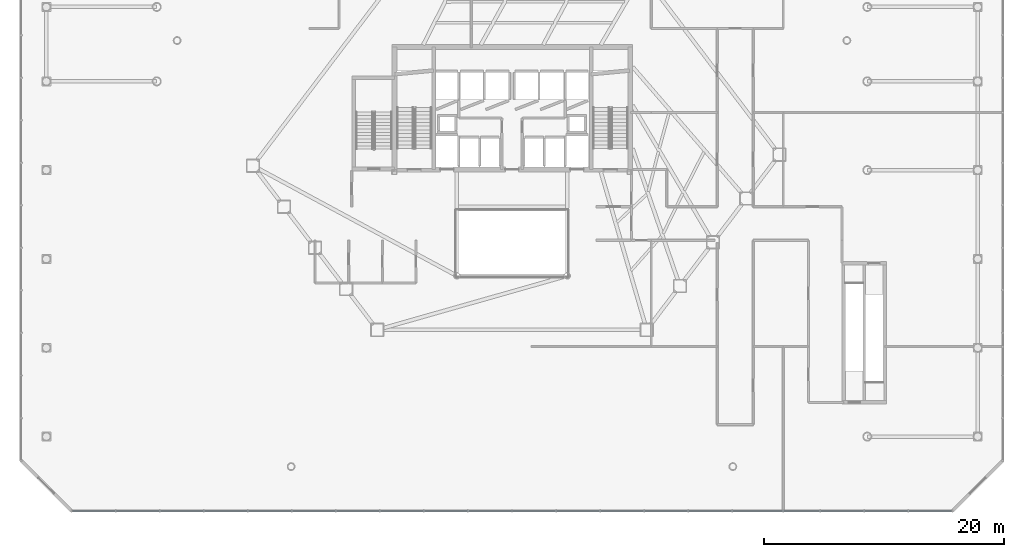
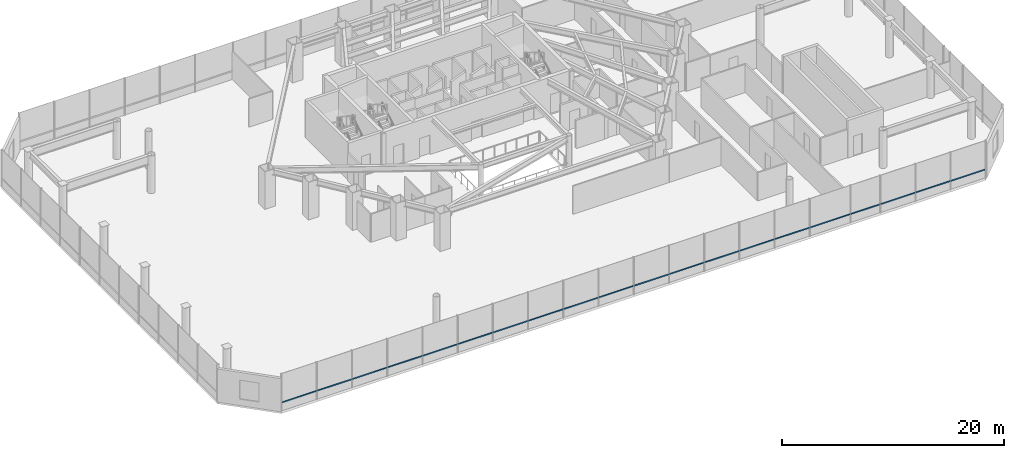
# One storey, part 13 of 43: 1 member, 1 element without a shape of its own.
"""IFC4 building model written with IfcOpenShell, lengths in metres."""

import ifcopenshell
import ifcopenshell.guid

model = None  # the IFC model being written
_history = None  # IfcOwnerHistory: only IFC2X3 demands one
_inside = {}  # id of a spatial element -> (the spatial element, [elements in it])
_under = {}  # id of a project, library or spatial element -> (it, [spatial elements below it])
_declared = {}  # id of a project -> (the project, [libraries it declares])
_typed = {}  # id of a type object -> (the type object, [elements of that type])
_made_of = {}  # id of a material, layer set ... -> (it, [elements and type objects made of it])


def new_model(schema):
    """Start an empty IFC model of exactly this schema.

    Asked for "IFC4X3", IfcOpenShell would pick the latest addendum, in which some entities
    have other attributes; the version numbers below select the first issue.
    IFC2X3 requires an IfcOwnerHistory on every rooted entity: one is made here for all.
    """
    global model, _history
    if schema == "IFC4X3":
        model = ifcopenshell.file(schema_version=(4, 3, 0, 0))
    else:
        model = ifcopenshell.file(schema=schema)
    _inside.clear()
    _under.clear()
    _declared.clear()
    _typed.clear()
    _made_of.clear()
    _history = None
    if model.schema == "IFC2X3":
        org = make("IfcOrganization", Name="unknown")
        user = make(
            "IfcPersonAndOrganization",
            ThePerson=make("IfcPerson", FamilyName="unknown"),
            TheOrganization=org,
        )
        app = make(
            "IfcApplication",
            ApplicationDeveloper=org,
            Version="unknown",
            ApplicationFullName="unknown",
            ApplicationIdentifier="unknown",
        )
        _history = make(
            "IfcOwnerHistory",
            OwningUser=user,
            OwningApplication=app,
            ChangeAction="ADDED",
            CreationDate=0,
        )
    return model


def make(cls, **values):
    """One entity of the class cls with the attributes given. An attribute that is None is left unset."""
    return model.create_entity(
        cls, **{name: value for name, value in values.items() if value is not None}
    )


def rooted(cls, **values):
    """An entity with a GlobalId (a new one), such as an element, a storey or a relation."""
    return make(cls, GlobalId=ifcopenshell.guid.new(), OwnerHistory=_history, **values)


def si_unit(unit_type, name, prefix=None):
    """IfcSIUnit, for example si_unit("LENGTHUNIT", "METRE", prefix="MILLI")."""
    return make("IfcSIUnit", UnitType=unit_type, Prefix=prefix, Name=name)


def assignment(units):
    """IfcUnitAssignment: the units of a project."""
    return None if units is None else make("IfcUnitAssignment", Units=units)


def point(xyz):
    """IfcCartesianPoint."""
    return None if xyz is None else make("IfcCartesianPoint", Coordinates=xyz)


def direction(xyz):
    """IfcDirection."""
    return None if xyz is None else make("IfcDirection", DirectionRatios=xyz)


def frame(location, z_axis=None, x_axis=None):
    """IfcAxis2Placement3D, a coordinate frame: its origin and axes. An axis left out is left unset."""
    return make(
        "IfcAxis2Placement3D",
        Location=point(location),
        Axis=direction(z_axis),
        RefDirection=direction(x_axis),
    )


def frame_2d(location, x_axis=None):
    """IfcAxis2Placement2D, a coordinate frame in the plane: its origin and x axis."""
    return make(
        "IfcAxis2Placement2D", Location=point(location), RefDirection=direction(x_axis)
    )


def origin():
    """The frame at (0, 0, 0) with its axes left unset."""
    return frame((0.0, 0.0, 0.0))


def origin_2d():
    """The frame at (0, 0) in the plane with its x axis left unset."""
    return frame_2d((0.0, 0.0))


def place(relative_to, where):
    """IfcLocalPlacement: puts the frame where relative to a parent placement (None: the world)."""
    return make(
        "IfcLocalPlacement", PlacementRelTo=relative_to, RelativePlacement=where
    )


def context(
    kind, dimensions, precision=None, world=None, true_north=None, identifier=None
):
    """IfcGeometricRepresentationContext, for example the 3D "Model" context."""
    return make(
        "IfcGeometricRepresentationContext",
        ContextIdentifier=identifier,
        ContextType=kind,
        CoordinateSpaceDimension=dimensions,
        Precision=precision,
        WorldCoordinateSystem=world,
        TrueNorth=true_north,
    )


def subcontext(parent, identifier, kind, view, scale=None):
    """IfcGeometricRepresentationSubContext, for example "Body" below "Model"."""
    return make(
        "IfcGeometricRepresentationSubContext",
        ContextIdentifier=identifier,
        ContextType=kind,
        ParentContext=parent,
        TargetScale=scale,
        TargetView=view,
    )


def project(units=None, contexts=None):
    """IfcProject with its units and contexts."""
    return rooted(
        "IfcProject",
        Name="project",
        RepresentationContexts=contexts,
        UnitsInContext=assignment(units),
    )


def spatial(cls, under=None, at=None, **own):
    """A site, building, storey or space (cls), placed at a placement, below another one or the project."""
    s = rooted(cls, ObjectPlacement=at, **own)
    if under is not None:
        _under.setdefault(under.id(), (under, []))[1].append(s)
    return s


def profile(cls, at=None, kind="AREA", **sizes):
    """A parametric profile (cls). Its sizes go by their IFC names, for example OverallWidth=200.0."""
    return make(cls, ProfileType=kind, Position=at, **sizes)


def hollow_rectangle(**sizes):
    """IfcRectangleHollowProfileDef."""
    return profile("IfcRectangleHollowProfileDef", **sizes)


def extrude(swept, where, along, depth):
    """IfcExtrudedAreaSolid: the profile swept, set in the frame where, extruded along a direction by depth."""
    return make(
        "IfcExtrudedAreaSolid",
        SweptArea=swept,
        Position=where,
        ExtrudedDirection=direction(along),
        Depth=depth,
    )


def shape(context_of_items, identifier, shape_type, items):
    """IfcShapeRepresentation: the items that make up one representation, for example the "Body"."""
    return make(
        "IfcShapeRepresentation",
        ContextOfItems=context_of_items,
        RepresentationIdentifier=identifier,
        RepresentationType=shape_type,
        Items=items,
    )


def material(Name=None, Category=None):
    """IfcMaterial."""
    return make("IfcMaterial", Name=Name, Category=Category)


def layer(
    of_material, thickness, ventilated=None, Name=None, Category=None, Priority=None
):
    """IfcMaterialLayer: one layer of a wall or slab, of a material (None: an air gap)."""
    return make(
        "IfcMaterialLayer",
        Material=of_material,
        LayerThickness=thickness,
        IsVentilated=ventilated,
        Name=Name,
        Category=Category,
        Priority=Priority,
    )


def layer_set(layers, Name=None):
    """IfcMaterialLayerSet."""
    return make("IfcMaterialLayerSet", MaterialLayers=layers, LayerSetName=Name)


def material_profile(
    of_material, cross_section, Name=None, Category=None, Priority=None
):
    """IfcMaterialProfile: a cross section and its material."""
    return make(
        "IfcMaterialProfile",
        Name=Name,
        Material=of_material,
        Profile=cross_section,
        Priority=Priority,
        Category=Category,
    )


def profile_set(profiles, Name=None, composite=None):
    """IfcMaterialProfileSet."""
    return make(
        "IfcMaterialProfileSet",
        Name=Name,
        MaterialProfiles=profiles,
        CompositeProfile=composite,
    )


def made_of(thing, what):
    """Note that an element or type object is made of a material, layer set ...; save() writes the relation."""
    if what is not None:
        _made_of.setdefault(what.id(), (what, []))[1].append(thing)
    return thing


def type_object(cls, material=None, **own):
    """A type object (cls), such as IfcWallType, which elements share."""
    return made_of(rooted(cls, **own), material)


def element(
    cls,
    number,
    at=None,
    inside=None,
    cuts=None,
    type_object=None,
    material=None,
    context=None,
    identifier="Body",
    shape_type=None,
    held_by="IfcProductDefinitionShape",
    body=None,
    shapes=None,
    **own,
):
    """One element of the class cls, such as IfcWall. Its Tag is "e" and its number.

    at: its placement. inside: the storey or other place that contains it. cuts: it is an
    opening in that element (IfcRelVoidsElement). A single representation is given by context,
    identifier, shape_type and body (its items); several are given by shapes. held_by: the class
    of the entity that holds the representations. save() writes the other relations.
    """
    e = rooted(cls, Tag="e%d" % number, ObjectPlacement=at, **own)
    if body is not None:
        shapes = [shape(context, identifier, shape_type, body)]
    if shapes is not None:
        e.Representation = make(held_by, Representations=shapes)
    if inside is not None:
        _inside.setdefault(inside.id(), (inside, []))[1].append(e)
    if cuts is not None:
        rooted(
            "IfcRelVoidsElement", RelatingBuildingElement=cuts, RelatedOpeningElement=e
        )
    if type_object is not None:
        _typed.setdefault(type_object.id(), (type_object, []))[1].append(e)
    return made_of(e, material)


def aggregate(whole, parts):
    """IfcRelAggregates: a whole, such as a stair, and the parts it consists of."""
    return rooted("IfcRelAggregates", RelatingObject=whole, RelatedObjects=parts)


def save(model, path):
    """Write the relations noted so far, then the file.

    IfcRelAggregates (storeys below a building ...), IfcRelContainedInSpatialStructure (elements
    in a storey), IfcRelDefinesByType, IfcRelAssociatesMaterial and IfcRelDeclares: one each for
    every whole, place, type object, material and project.
    """
    for whole, parts in _under.values():
        aggregate(whole, parts)
    for where, things in _inside.values():
        rooted(
            "IfcRelContainedInSpatialStructure",
            RelatedElements=things,
            RelatingStructure=where,
        )
    for kind, things in _typed.values():
        rooted("IfcRelDefinesByType", RelatedObjects=things, RelatingType=kind)
    for what, things in _made_of.values():
        rooted("IfcRelAssociatesMaterial", RelatedObjects=things, RelatingMaterial=what)
    for by, libraries in _declared.values():
        rooted("IfcRelDeclares", RelatingContext=by, RelatedDefinitions=libraries)
    model.write(path)


model = new_model("IFC4")

# Units and contexts
model_context = context("Model", 3, precision=1e-05, world=origin(), true_north=direction((0.0, 1.0)))
body_context = subcontext(model_context, "Body", "Model", "MODEL_VIEW")
ifc_project = project(units=[si_unit("LENGTHUNIT", "METRE"), si_unit("AREAUNIT", "SQUARE_METRE"), si_unit("VOLUMEUNIT", "CUBIC_METRE"), si_unit("PLANEANGLEUNIT", "RADIAN"), si_unit("MASSUNIT", "GRAM", prefix="KILO")], contexts=[model_context])

# Site, building, storey
site_placement = place(None, origin())
site = spatial("IfcSite", under=ifc_project, at=site_placement, CompositionType="ELEMENT")
building_placement = place(site_placement, origin())
building = spatial("IfcBuilding", under=site, at=building_placement, Name="Zarrinselat Tower", CompositionType="ELEMENT")
storey_placement = place(building_placement, frame((0.0, 0.0, 5.10009765625)))
storey = spatial("IfcBuildingStorey", under=building, at=storey_placement, Name="L01", CompositionType="ELEMENT", Elevation=5.10009765625)

# Curtain wall, member
ifc_material_1 = material(Name="Extruded Aluminium Alloy EN AW-6063 T6", Category="aluminium")
ifc_layer = layer(ifc_material_1, 0.2099609375)
ifc_layer_set = layer_set([ifc_layer], Name="Extruded Aluminium Alloy EN AW-6063 T6")
curtain_wall_type = type_object("IfcCurtainWallType", Name="CWS-POD", PredefinedType="NOTDEFINED", material=ifc_layer_set)
curtain_wall_placement = place(storey_placement, origin())
curtain_wall = element("IfcCurtainWall", 1, at=curtain_wall_placement, inside=storey, type_object=curtain_wall_type, Name="L01 Unitised Curtain Wall CW-L01-F1", PredefinedType="NOTDEFINED")
ifc_material_2 = material(Name="Extruded Aluminium Alloy EN AW-6063 T6", Category="aluminium")
ifc_material_profile = material_profile(ifc_material_2, hollow_rectangle(XDim=0.06005859375, YDim=0.139892578125, WallThickness=0.00390625, at=origin_2d()), Name="RHS 140x60x4")
ifc_profile_set = profile_set([ifc_material_profile], Name="Extruded Aluminium Alloy EN AW-6063 T6")
member_type = type_object("IfcMemberType", Name="MEM-CW-TRN", PredefinedType="USERDEFINED", material=ifc_profile_set)
member_placement = place(storey_placement, frame((1.7900390625, 4.800048828125, 0.949951171875), z_axis=(1.0, 0.0, 0.0), x_axis=(0.0, 1.0, 0.0)))
member = element("IfcMember", 2, at=member_placement, type_object=member_type, Name="CW-L01-F1 Transom 1", ObjectType="TRANSOM", PredefinedType="USERDEFINED", context=body_context, shape_type="SweptSolid", body=[
    extrude(hollow_rectangle(XDim=0.06005859375, YDim=0.139892578125, WallThickness=0.00390625, at=origin_2d()), origin(), (0.0, 0.0, 1.0), 73.219970703125),
])
aggregate(curtain_wall, [member])

save(model, "model.ifc")
